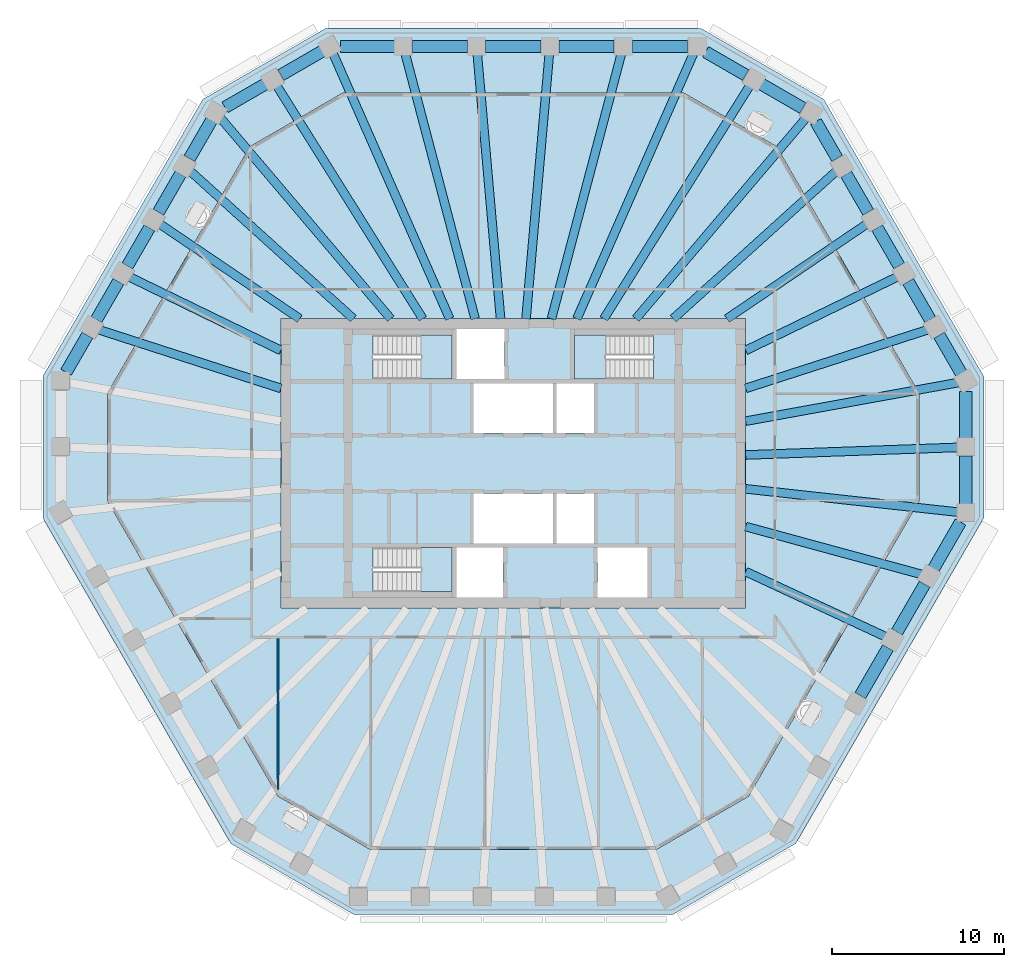
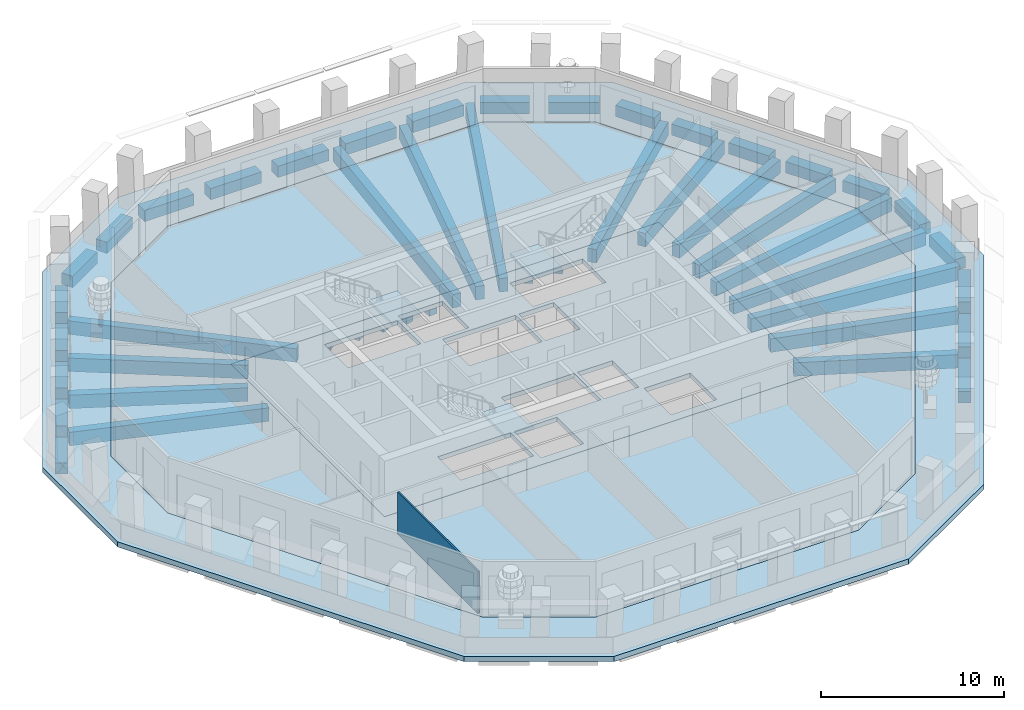
# One storey, part 2 of 12: 47 beams, 6 slabs, 1 wall, 3 elements without a shape of their own.
"""IFC4 building model written with IfcOpenShell, lengths in metres."""

from ifc_helpers import new_model, si_unit, direction, frame, frame_2d, origin, origin_2d, place, context, subcontext, project, spatial, polyline, rectangle, outline, extrude, material, layer, layer_set, material_profile, profile_set, type_object, element, aggregate, save


model = new_model("IFC4")

# Units and contexts
model_context = context("Model", 3, precision=1e-05, world=origin(), true_north=direction((0.0, 1.0)))
body_context = subcontext(model_context, "Body", "Model", "MODEL_VIEW")
ifc_project = project(units=[si_unit("LENGTHUNIT", "METRE"), si_unit("AREAUNIT", "SQUARE_METRE"), si_unit("VOLUMEUNIT", "CUBIC_METRE"), si_unit("PLANEANGLEUNIT", "RADIAN"), si_unit("MASSUNIT", "GRAM", prefix="KILO")], contexts=[model_context])

# Site, building, storey
site_placement = place(None, origin())
site = spatial("IfcSite", under=ifc_project, at=site_placement, CompositionType="ELEMENT")
building_placement = place(site_placement, origin())
building = spatial("IfcBuilding", under=site, at=building_placement, Name="Frailejon Research Tower", CompositionType="ELEMENT")
storey_placement = place(building_placement, frame((0.0, 0.0, 241.39990234375)))
storey = spatial("IfcBuildingStorey", under=building, at=storey_placement, Name="L52", CompositionType="ELEMENT", Elevation=241.39990234375)

# Beams
ifc_material_1 = material(Name="Concrete C60/75", Category="concrete")
ifc_material_profile_1 = material_profile(ifc_material_1, rectangle(XDim=0.5, YDim=0.89990234375, at=origin_2d()), Name="Girder 500x900")
ifc_profile_set_1 = profile_set([ifc_material_profile_1], Name="Concrete C60/75")
beam_type_1 = type_object("IfcBeamType", Name="Girder 500x900", PredefinedType="BEAM", material=ifc_profile_set_1)
beam_1_placement = place(storey_placement, frame((25.90283203125, -2.842529296875, -0.75), z_axis=(-0.994032436937, 0.109084895003, 0.0), x_axis=(-0.109084895003, -0.994032436937, 0.0)))
element("IfcBeam", 1, at=beam_1_placement, inside=storey, type_object=beam_type_1, Name="Girder 500x900", PredefinedType="BEAM", context=body_context, shape_type="SweptSolid", body=[
    extrude(rectangle(XDim=0.5, YDim=0.89990234375, at=origin_2d()), origin(), (0.0, 0.0, 1.0), 12.477294921875),
])
beam_2_placement = place(storey_placement, frame((25.903564453125, 0.92919921875, -0.75), z_axis=(-0.999357556164, -0.035839572234, 0.0), x_axis=(0.035839572234, -0.999357556164, 0.0)))
element("IfcBeam", 2, at=beam_2_placement, inside=storey, type_object=beam_type_1, Name="Girder 500x900", PredefinedType="BEAM", context=body_context, shape_type="SweptSolid", body=[
    extrude(rectangle(XDim=0.5, YDim=0.89990234375, at=origin_2d()), origin(), (0.0, 0.0, 1.0), 12.41162109375),
])
beam_3_placement = place(storey_placement, frame((25.877685546875, 4.69677734375, -0.75), z_axis=(-0.983924514799, -0.17858485148, 0.0), x_axis=(0.17858485148, -0.983924514799, 0.0)))
element("IfcBeam", 3, at=beam_3_placement, inside=storey, type_object=beam_type_1, Name="Girder 500x900", PredefinedType="BEAM", context=body_context, shape_type="SweptSolid", body=[
    extrude(rectangle(XDim=0.5, YDim=0.89990234375, at=origin_2d()), origin(), (0.0, 0.0, 1.0), 12.579833984375),
])
beam_4_placement = place(storey_placement, frame((24.108642578125, 7.771484375, -0.75), z_axis=(-0.951773213067, -0.306802462325, 0.0), x_axis=(0.306802462325, -0.951773213067, 0.0)))
element("IfcBeam", 4, at=beam_4_placement, inside=storey, type_object=beam_type_1, Name="Girder 500x900", PredefinedType="BEAM", context=body_context, shape_type="SweptSolid", body=[
    extrude(rectangle(XDim=0.5, YDim=0.89990234375, at=origin_2d()), origin(), (0.0, 0.0, 1.0), 11.146240234375),
])
beam_5_placement = place(storey_placement, frame((22.336669921875, 10.8466796875, -0.75), z_axis=(-0.899551408753, -0.436814907038, 0.0), x_axis=(0.436814907038, -0.899551408753, 0.0)))
element("IfcBeam", 5, at=beam_5_placement, inside=storey, type_object=beam_type_1, Name="Girder 500x900", PredefinedType="BEAM", context=body_context, shape_type="SweptSolid", body=[
    extrude(rectangle(XDim=0.5, YDim=0.89990234375, at=origin_2d()), origin(), (0.0, 0.0, 1.0), 9.823486328125),
])
beam_6_placement = place(storey_placement, frame((20.561767578125, 13.9208984375, -0.75), z_axis=(-0.828062372925, -0.560635983992, 0.0), x_axis=(0.560635983992, -0.828062372925, 0.0)))
element("IfcBeam", 6, at=beam_6_placement, inside=storey, type_object=beam_type_1, Name="Girder 500x900", PredefinedType="BEAM", context=body_context, shape_type="SweptSolid", body=[
    extrude(rectangle(XDim=0.5, YDim=0.89990234375, at=origin_2d()), origin(), (0.0, 0.0, 1.0), 9.84765625),
])
beam_7_placement = place(storey_placement, frame((18.78466796875, 16.992919921875, -0.75), z_axis=(-0.741587704794, -0.670855927974, 0.0), x_axis=(0.670855927974, -0.741587704794, 0.0)))
element("IfcBeam", 7, at=beam_7_placement, inside=storey, type_object=beam_type_1, Name="Girder 500x900", PredefinedType="BEAM", context=body_context, shape_type="SweptSolid", body=[
    extrude(rectangle(XDim=0.5, YDim=0.89990234375, at=origin_2d()), origin(), (0.0, 0.0, 1.0), 12.80908203125),
])
beam_8_placement = place(storey_placement, frame((17.02197265625, 20.080810546875, -0.75), z_axis=(-0.646608822543, -0.762821755464, 0.0), x_axis=(0.762821755464, -0.646608822543, 0.0)))
element("IfcBeam", 8, at=beam_8_placement, inside=storey, type_object=beam_type_1, Name="Girder 500x900", PredefinedType="BEAM", context=body_context, shape_type="SweptSolid", body=[
    extrude(rectangle(XDim=0.5, YDim=0.89990234375, at=origin_2d()), origin(), (0.0, 0.0, 1.0), 15.312744140625),
])
beam_9_placement = place(storey_placement, frame((13.756591796875, 21.968505859375, -0.75), z_axis=(-0.530726627088, -0.847543065159, 0.0), x_axis=(0.847543065159, -0.530726627088, 0.0)))
element("IfcBeam", 9, at=beam_9_placement, inside=storey, type_object=beam_type_1, Name="Girder 500x900", PredefinedType="BEAM", context=body_context, shape_type="SweptSolid", body=[
    extrude(rectangle(XDim=0.5, YDim=0.89990234375, at=origin_2d()), origin(), (0.0, 0.0, 1.0), 16.00927734375),
])
beam_10_placement = place(storey_placement, frame((10.47119140625, 23.812255859375, -0.75), z_axis=(-0.40253499417, -0.915404598234, 0.0), x_axis=(0.915404598234, -0.40253499417, 0.0)))
element("IfcBeam", 10, at=beam_10_placement, inside=storey, type_object=beam_type_1, Name="Girder 500x900", PredefinedType="BEAM", context=body_context, shape_type="SweptSolid", body=[
    extrude(rectangle(XDim=0.5, YDim=0.89990234375, at=origin_2d()), origin(), (0.0, 0.0, 1.0), 16.836669921875),
])
beam_11_placement = place(storey_placement, frame((6.284912109375, 23.820068359375, -0.75), z_axis=(-0.255118679831, -0.966909747185, 0.0), x_axis=(0.966909747185, -0.255118679831, 0.0)))
element("IfcBeam", 11, at=beam_11_placement, inside=storey, type_object=beam_type_1, Name="Girder 500x900", PredefinedType="BEAM", context=body_context, shape_type="SweptSolid", body=[
    extrude(rectangle(XDim=0.5, YDim=0.89990234375, at=origin_2d()), origin(), (0.0, 0.0, 1.0), 15.947998046875),
])
for number, where, z_axis, x_axis, name in (
    (12, (2.095458984375, 23.824462890625, -0.75), (-0.087618172411, -0.996154132584, 0.0), (0.996154132584, -0.087618172411, 0.0), "Girder 500x900"),
    (13, (-2.095458984375, 23.824462890625, -0.75), (0.087618172411, -0.996154132584, 0.0), (0.996154132584, 0.087618172411, 0.0), "Girder 500x900"),
):
    element("IfcBeam", number, at=place(storey_placement, frame(where, z_axis=z_axis, x_axis=x_axis)), inside=storey, type_object=beam_type_1, Name=name, PredefinedType="BEAM", context=body_context, shape_type="SweptSolid", body=[
        extrude(rectangle(XDim=0.5, YDim=0.89990234375, at=origin_2d()), origin(), (0.0, 0.0, 1.0), 15.484130859375),
    ])
beam_12_placement = place(storey_placement, frame((-6.284912109375, 23.820068359375, -0.75), z_axis=(0.255118679831, -0.966909747185, 0.0), x_axis=(0.966909747185, 0.255118679831, 0.0)))
element("IfcBeam", 14, at=beam_12_placement, inside=storey, type_object=beam_type_1, Name="Girder 500x900", PredefinedType="BEAM", context=body_context, shape_type="SweptSolid", body=[
    extrude(rectangle(XDim=0.5, YDim=0.89990234375, at=origin_2d()), origin(), (0.0, 0.0, 1.0), 15.947998046875),
])
beam_13_placement = place(storey_placement, frame((-10.489501953125, 23.853759765625, -0.75), z_axis=(0.402537964764, -0.915403291956, 0.0), x_axis=(0.915403291956, 0.402537964764, 0.0)))
element("IfcBeam", 15, at=beam_13_placement, inside=storey, type_object=beam_type_1, Name="Girder 500x900", PredefinedType="BEAM", context=body_context, shape_type="SweptSolid", body=[
    extrude(rectangle(XDim=0.5, YDim=0.89990234375, at=origin_2d()), origin(), (0.0, 0.0, 1.0), 16.882080078125),
])
beam_14_placement = place(storey_placement, frame((-13.756591796875, 21.968505859375, -0.75), z_axis=(0.530726627088, -0.847543065159, 0.0), x_axis=(0.847543065159, 0.530726627088, 0.0)))
element("IfcBeam", 16, at=beam_14_placement, inside=storey, type_object=beam_type_1, Name="Girder 500x900", PredefinedType="BEAM", context=body_context, shape_type="SweptSolid", body=[
    extrude(rectangle(XDim=0.5, YDim=0.89990234375, at=origin_2d()), origin(), (0.0, 0.0, 1.0), 16.00927734375),
])
beam_15_placement = place(storey_placement, frame((-17.00634765625, 20.062255859375, -0.75), z_axis=(0.646612741033, -0.762818433923, 0.0), x_axis=(0.762818433923, 0.646612741033, 0.0)))
element("IfcBeam", 17, at=beam_15_placement, inside=storey, type_object=beam_type_1, Name="Girder 500x900", PredefinedType="BEAM", context=body_context, shape_type="SweptSolid", body=[
    extrude(rectangle(XDim=0.5, YDim=0.89990234375, at=origin_2d()), origin(), (0.0, 0.0, 1.0), 15.28857421875),
])
beam_16_placement = place(storey_placement, frame((-18.78466796875, 16.992919921875, -0.75), z_axis=(0.741587704794, -0.670855927974, 0.0), x_axis=(0.670855927974, 0.741587704794, 0.0)))
element("IfcBeam", 18, at=beam_16_placement, inside=storey, type_object=beam_type_1, Name="Girder 500x900", PredefinedType="BEAM", context=body_context, shape_type="SweptSolid", body=[
    extrude(rectangle(XDim=0.5, YDim=0.89990234375, at=origin_2d()), origin(), (0.0, 0.0, 1.0), 12.80908203125),
])
beam_17_placement = place(storey_placement, frame((-20.561767578125, 13.9208984375, -0.75), z_axis=(0.828062372925, -0.560635983992, 0.0), x_axis=(0.560635983992, 0.828062372925, 0.0)))
element("IfcBeam", 19, at=beam_17_placement, inside=storey, type_object=beam_type_1, Name="Girder 500x900", PredefinedType="BEAM", context=body_context, shape_type="SweptSolid", body=[
    extrude(rectangle(XDim=0.5, YDim=0.89990234375, at=origin_2d()), origin(), (0.0, 0.0, 1.0), 9.84765625),
])
beam_18_placement = place(storey_placement, frame((-22.336669921875, 10.8466796875, -0.75), z_axis=(0.899551408753, -0.436814907038, 0.0), x_axis=(0.436814907038, 0.899551408753, 0.0)))
element("IfcBeam", 20, at=beam_18_placement, inside=storey, type_object=beam_type_1, Name="Girder 500x900", PredefinedType="BEAM", context=body_context, shape_type="SweptSolid", body=[
    extrude(rectangle(XDim=0.5, YDim=0.89990234375, at=origin_2d()), origin(), (0.0, 0.0, 1.0), 9.823486328125),
])
beam_19_placement = place(storey_placement, frame((-24.108642578125, 7.771484375, -0.75), z_axis=(0.951773213067, -0.306802462325, 0.0), x_axis=(0.306802462325, 0.951773213067, 0.0)))
element("IfcBeam", 21, at=beam_19_placement, inside=storey, type_object=beam_type_1, Name="Girder 500x900", PredefinedType="BEAM", context=body_context, shape_type="SweptSolid", body=[
    extrude(rectangle(XDim=0.5, YDim=0.89990234375, at=origin_2d()), origin(), (0.0, 0.0, 1.0), 11.146240234375),
])
beam_20_placement = place(storey_placement, frame((21.68017578125, -10.09765625, -0.75), z_axis=(-0.906495305559, 0.422215893827, 0.0), x_axis=(-0.422215893827, -0.906495305559, 0.0)))
element("IfcBeam", 22, at=beam_20_placement, inside=storey, type_object=beam_type_1, Name="Girder 500x900", PredefinedType="BEAM", context=body_context, shape_type="SweptSolid", body=[
    extrude(rectangle(XDim=0.5, YDim=0.89990234375, at=origin_2d()), origin(), (0.0, 0.0, 1.0), 9.02392578125),
])
beam_21_placement = place(storey_placement, frame((23.771240234375, -6.46728515625, -0.75), z_axis=(-0.964926127593, 0.262521557758, 0.0), x_axis=(-0.262521557758, -0.964926127593, 0.0)))
element("IfcBeam", 23, at=beam_21_placement, inside=storey, type_object=beam_type_1, Name="Girder 500x900", PredefinedType="BEAM", context=body_context, shape_type="SweptSolid", body=[
    extrude(rectangle(XDim=0.5, YDim=0.89990234375, at=origin_2d()), origin(), (0.0, 0.0, 1.0), 10.64453125),
])
ifc_material_2 = material(Name="Concrete C60/75", Category="concrete")
ifc_material_profile_2 = material_profile(ifc_material_2, rectangle(XDim=0.699951171875, YDim=0.75, at=origin_2d()), Name="Spandrel 700x750")
ifc_profile_set_2 = profile_set([ifc_material_profile_2], Name="Concrete C60/75")
beam_type_2 = type_object("IfcBeamType", Name="Spandrel 700x750", PredefinedType="BEAM", material=ifc_profile_set_2)
beam_22_placement = place(storey_placement, frame((26.27880859375, -2.35888671875, -0.724853515625), z_axis=(0.0, 1.0, 0.0), x_axis=(-1.0, 0.0, 0.0)))
element("IfcBeam", 24, at=beam_22_placement, inside=storey, type_object=beam_type_2, Name="Spandrel 700x750", PredefinedType="BEAM", context=body_context, shape_type="SweptSolid", body=[
    extrude(rectangle(XDim=0.699951171875, YDim=0.75, at=origin_2d()), origin(), (0.0, 0.0, 1.0), 2.776611328125),
])
beam_23_placement = place(storey_placement, frame((26.27880859375, 1.4677734375, -0.724853515625), z_axis=(0.0, 1.0, 0.0), x_axis=(-1.0, 0.0, 0.0)))
element("IfcBeam", 25, at=beam_23_placement, inside=storey, type_object=beam_type_2, Name="Spandrel 700x750", PredefinedType="BEAM", context=body_context, shape_type="SweptSolid", body=[
    extrude(rectangle(XDim=0.699951171875, YDim=0.75, at=origin_2d()), origin(), (0.0, 0.0, 1.0), 2.695556640625),
])
for number, where, z_axis, x_axis, name in (
    (26, (26.01611328125, 5.22412109375, -0.724853515625), (-0.499954196102, 0.866051847062, 0.0), (-0.866051847062, -0.499954196102, 0.0), "Spandrel 700x750"),
    (27, (24.21435546875, 8.344970703125, -0.724853515625), (-0.499954196102, 0.866051847062, 0.0), (-0.866051847062, -0.499954196102, 0.0), "Spandrel 700x750"),
):
    element("IfcBeam", number, at=place(storey_placement, frame(where, z_axis=z_axis, x_axis=x_axis)), inside=storey, type_object=beam_type_2, Name=name, PredefinedType="BEAM", context=body_context, shape_type="SweptSolid", body=[
        extrude(rectangle(XDim=0.699951171875, YDim=0.75, at=origin_2d()), origin(), (0.0, 0.0, 1.0), 2.553466796875),
    ])
beam_24_placement = place(storey_placement, frame((22.41259765625, 11.4658203125, -0.724853515625), z_axis=(-0.499995597562, 0.866027945518, 0.0), x_axis=(-0.866027945518, -0.499995597562, 0.0)))
element("IfcBeam", 28, at=beam_24_placement, inside=storey, type_object=beam_type_2, Name="Spandrel 700x750", PredefinedType="BEAM", context=body_context, shape_type="SweptSolid", body=[
    extrude(rectangle(XDim=0.699951171875, YDim=0.75, at=origin_2d()), origin(), (0.0, 0.0, 1.0), 2.55322265625),
])
beam_25_placement = place(storey_placement, frame((20.61083984375, 14.58642578125, -0.724853515625), z_axis=(-0.500025904202, 0.86601044747, 0.0), x_axis=(-0.86601044747, -0.500025904202, 0.0)))
element("IfcBeam", 29, at=beam_25_placement, inside=storey, type_object=beam_type_2, Name="Spandrel 700x750", PredefinedType="BEAM", context=body_context, shape_type="SweptSolid", body=[
    extrude(rectangle(XDim=0.699951171875, YDim=0.75, at=origin_2d()), origin(), (0.0, 0.0, 1.0), 2.553466796875),
])
beam_26_placement = place(storey_placement, frame((18.80908203125, 17.707275390625, -0.724853515625), z_axis=(-0.499973199341, 0.866040876599, 0.0), x_axis=(-0.866040876599, -0.499973199341, 0.0)))
element("IfcBeam", 30, at=beam_26_placement, inside=storey, type_object=beam_type_2, Name="Spandrel 700x750", PredefinedType="BEAM", context=body_context, shape_type="SweptSolid", body=[
    extrude(rectangle(XDim=0.699951171875, YDim=0.75, at=origin_2d()), origin(), (0.0, 0.0, 1.0), 2.472412109375),
])
beam_27_placement = place(storey_placement, frame((16.815185546875, 20.6357421875, -0.724853515625), z_axis=(-0.866021602438, 0.500006584067, 0.0), x_axis=(-0.500006584067, -0.866021602438, 0.0)))
element("IfcBeam", 31, at=beam_27_placement, inside=storey, type_object=beam_type_2, Name="Spandrel 700x750", PredefinedType="BEAM", context=body_context, shape_type="SweptSolid", body=[
    extrude(rectangle(XDim=0.699951171875, YDim=0.75, at=origin_2d()), origin(), (0.0, 0.0, 1.0), 2.77685546875),
])
beam_28_placement = place(storey_placement, frame((13.501220703125, 22.549072265625, -0.724853515625), z_axis=(-0.866010629317, 0.500025589255, 0.0), x_axis=(-0.500025589255, -0.866010629317, 0.0)))
element("IfcBeam", 32, at=beam_28_placement, inside=storey, type_object=beam_type_2, Name="Spandrel 700x750", PredefinedType="BEAM", context=body_context, shape_type="SweptSolid", body=[
    extrude(rectangle(XDim=0.699951171875, YDim=0.75, at=origin_2d()), origin(), (0.0, 0.0, 1.0), 2.695556640625),
])
beam_29_placement = place(storey_placement, frame((10.11669921875, 24.199951171875, -0.724853515625), z_axis=(-1.0, 0.0, 0.0), x_axis=(0.0, -1.0, 0.0)))
element("IfcBeam", 33, at=beam_29_placement, inside=storey, type_object=beam_type_2, Name="Spandrel 700x750", PredefinedType="BEAM", context=body_context, shape_type="SweptSolid", body=[
    extrude(rectangle(XDim=0.699951171875, YDim=0.75, at=origin_2d()), origin(), (0.0, 0.0, 1.0), 3.20654296875),
])
beam_30_placement = place(storey_placement, frame((5.860107421875, 24.199951171875, -0.724853515625), z_axis=(-1.0, 0.0, 0.0), x_axis=(0.0, -1.0, 0.0)))
element("IfcBeam", 34, at=beam_30_placement, inside=storey, type_object=beam_type_2, Name="Spandrel 700x750", PredefinedType="BEAM", context=body_context, shape_type="SweptSolid", body=[
    extrude(rectangle(XDim=0.699951171875, YDim=0.75, at=origin_2d()), origin(), (0.0, 0.0, 1.0), 3.206787109375),
])
beam_31_placement = place(storey_placement, frame((1.603515625, 24.199951171875, -0.724853515625), z_axis=(-1.0, 0.0, 0.0), x_axis=(0.0, -1.0, 0.0)))
element("IfcBeam", 35, at=beam_31_placement, inside=storey, type_object=beam_type_2, Name="Spandrel 700x750", PredefinedType="BEAM", context=body_context, shape_type="SweptSolid", body=[
    extrude(rectangle(XDim=0.699951171875, YDim=0.75, at=origin_2d()), origin(), (0.0, 0.0, 1.0), 3.20703125),
])
beam_32_placement = place(storey_placement, frame((-2.6533203125, 24.199951171875, -0.724853515625), z_axis=(-1.0, 0.0, 0.0), x_axis=(0.0, -1.0, 0.0)))
element("IfcBeam", 36, at=beam_32_placement, inside=storey, type_object=beam_type_2, Name="Spandrel 700x750", PredefinedType="BEAM", context=body_context, shape_type="SweptSolid", body=[
    extrude(rectangle(XDim=0.699951171875, YDim=0.75, at=origin_2d()), origin(), (0.0, 0.0, 1.0), 3.206787109375),
])
beam_33_placement = place(storey_placement, frame((-6.91015625, 24.199951171875, -0.724853515625), z_axis=(-1.0, 0.0, 0.0), x_axis=(0.0, -1.0, 0.0)))
element("IfcBeam", 37, at=beam_33_placement, inside=storey, type_object=beam_type_2, Name="Spandrel 700x750", PredefinedType="BEAM", context=body_context, shape_type="SweptSolid", body=[
    extrude(rectangle(XDim=0.699951171875, YDim=0.75, at=origin_2d()), origin(), (0.0, 0.0, 1.0), 3.12548828125),
])
beam_34_placement = place(storey_placement, frame((-11.096435546875, 23.9375, -0.724853515625), z_axis=(-0.866021602438, -0.500006584067, 0.0), x_axis=(0.500006584067, -0.866021602438, 0.0)))
element("IfcBeam", 38, at=beam_34_placement, inside=storey, type_object=beam_type_2, Name="Spandrel 700x750", PredefinedType="BEAM", context=body_context, shape_type="SweptSolid", body=[
    extrude(rectangle(XDim=0.699951171875, YDim=0.75, at=origin_2d()), origin(), (0.0, 0.0, 1.0), 2.77685546875),
])
beam_35_placement = place(storey_placement, frame((-14.410400390625, 22.024169921875, -0.724853515625), z_axis=(-0.866049846835, -0.499957661005, 0.0), x_axis=(0.499957661005, -0.866049846835, 0.0)))
element("IfcBeam", 39, at=beam_35_placement, inside=storey, type_object=beam_type_2, Name="Spandrel 700x750", PredefinedType="BEAM", context=body_context, shape_type="SweptSolid", body=[
    extrude(rectangle(XDim=0.699951171875, YDim=0.75, at=origin_2d()), origin(), (0.0, 0.0, 1.0), 2.695556640625),
])
for number, where, z_axis, x_axis, name in (
    (40, (-17.532470703125, 19.918701171875, -0.724853515625), (-0.499954196102, -0.866051847062, 0.0), (0.866051847062, -0.499954196102, 0.0), "Spandrel 700x750"),
    (41, (-19.333984375, 16.7978515625, -0.724853515625), (-0.500025904202, -0.86601044747, 0.0), (0.86601044747, -0.500025904202, 0.0), "Spandrel 700x750"),
):
    element("IfcBeam", number, at=place(storey_placement, frame(where, z_axis=z_axis, x_axis=x_axis)), inside=storey, type_object=beam_type_2, Name=name, PredefinedType="BEAM", context=body_context, shape_type="SweptSolid", body=[
        extrude(rectangle(XDim=0.699951171875, YDim=0.75, at=origin_2d()), origin(), (0.0, 0.0, 1.0), 2.553466796875),
    ])
beam_36_placement = place(storey_placement, frame((-21.135986328125, 13.677001953125, -0.724853515625), z_axis=(-0.499995597562, -0.866027945518, 0.0), x_axis=(0.866027945518, -0.499995597562, 0.0)))
element("IfcBeam", 42, at=beam_36_placement, inside=storey, type_object=beam_type_2, Name="Spandrel 700x750", PredefinedType="BEAM", context=body_context, shape_type="SweptSolid", body=[
    extrude(rectangle(XDim=0.699951171875, YDim=0.75, at=origin_2d()), origin(), (0.0, 0.0, 1.0), 2.55322265625),
])
beam_37_placement = place(storey_placement, frame((-22.937744140625, 10.556396484375, -0.724853515625), z_axis=(-0.499954196102, -0.866051847062, 0.0), x_axis=(0.866051847062, -0.499954196102, 0.0)))
element("IfcBeam", 43, at=beam_37_placement, inside=storey, type_object=beam_type_2, Name="Spandrel 700x750", PredefinedType="BEAM", context=body_context, shape_type="SweptSolid", body=[
    extrude(rectangle(XDim=0.699951171875, YDim=0.75, at=origin_2d()), origin(), (0.0, 0.0, 1.0), 2.553466796875),
])
beam_38_placement = place(storey_placement, frame((-24.739501953125, 7.435546875, -0.724853515625), z_axis=(-0.499973199341, -0.866040876599, 0.0), x_axis=(0.866040876599, -0.499973199341, 0.0)))
element("IfcBeam", 44, at=beam_38_placement, inside=storey, type_object=beam_type_2, Name="Spandrel 700x750", PredefinedType="BEAM", context=body_context, shape_type="SweptSolid", body=[
    extrude(rectangle(XDim=0.699951171875, YDim=0.75, at=origin_2d()), origin(), (0.0, 0.0, 1.0), 2.472412109375),
])
beam_39_placement = place(storey_placement, frame((20.156005859375, -13.488525390625, -0.724853515625), z_axis=(0.500036582314, 0.866004281946, 0.0), x_axis=(-0.866004281946, 0.500036582314, 0.0)))
element("IfcBeam", 45, at=beam_39_placement, inside=storey, type_object=beam_type_2, Name="Spandrel 700x750", PredefinedType="BEAM", context=body_context, shape_type="SweptSolid", body=[
    extrude(rectangle(XDim=0.699951171875, YDim=0.75, at=origin_2d()), origin(), (0.0, 0.0, 1.0), 3.206787109375),
])
beam_40_placement = place(storey_placement, frame((22.284423828125, -9.802001953125, -0.724853515625), z_axis=(0.500069551962, 0.865985244216, 0.0), x_axis=(-0.865985244216, 0.500069551962, 0.0)))
element("IfcBeam", 46, at=beam_40_placement, inside=storey, type_object=beam_type_2, Name="Spandrel 700x750", PredefinedType="BEAM", context=body_context, shape_type="SweptSolid", body=[
    extrude(rectangle(XDim=0.699951171875, YDim=0.75, at=origin_2d()), origin(), (0.0, 0.0, 1.0), 3.20654296875),
])
beam_41_placement = place(storey_placement, frame((24.412841796875, -6.11572265625, -0.724853515625), z_axis=(0.499995170647, 0.866028191995, 0.0), x_axis=(-0.866028191995, 0.499995170647, 0.0)))
element("IfcBeam", 47, at=beam_41_placement, inside=storey, type_object=beam_type_2, Name="Spandrel 700x750", PredefinedType="BEAM", context=body_context, shape_type="SweptSolid", body=[
    extrude(rectangle(XDim=0.699951171875, YDim=0.75, at=origin_2d()), origin(), (0.0, 0.0, 1.0), 3.12548828125),
])

# Slabs
ifc_material_3 = material(Name="Concrete C60/75", Category="concrete")
ifc_layer_1 = layer(ifc_material_3, 0.300048828125)
ifc_layer_set_1 = layer_set([ifc_layer_1], Name="Core floor slab 300 C60/75")
slab_type_1 = type_object("IfcSlabType", Name="Core floor slab 300 C60/75", PredefinedType="FLOOR", material=ifc_layer_set_1)
slab_1_placement = place(storey_placement, frame((0.0, 0.0, -0.2998046875)))
element("IfcSlab", 48, at=slab_1_placement, inside=storey, type_object=slab_type_1, Name="Core floor slab", PredefinedType="FLOOR", context=body_context, shape_type="SweptSolid", body=[
    extrude(outline(polyline([(13.5, -8.39990234375), (13.5, 8.39990234375), (-13.5, 8.39990234375), (-13.5, -8.39990234375), (13.5, -8.39990234375)]), holes=[polyline([(2.300048828125, 1.75), (2.300048828125, 4.64990234375), (-2.300048828125, 4.64990234375), (-2.300048828125, 1.75), (2.300048828125, 1.75)]), polyline([(4.699951171875, 1.75), (4.699951171875, 4.64990234375), (2.5, 4.64990234375), (2.5, 1.75), (4.699951171875, 1.75)]), polyline([(2.300048828125, -4.64990234375), (2.300048828125, -1.75), (-2.300048828125, -1.75), (-2.300048828125, -4.64990234375), (2.300048828125, -4.64990234375)]), polyline([(4.699951171875, -4.64990234375), (4.699951171875, -1.75), (2.5, -1.75), (2.5, -4.64990234375), (4.699951171875, -4.64990234375)]), polyline([(-8.14697265625, 4.89990234375), (-3.550048828125, 4.89990234375), (-3.550048828125, 7.449951171875), (-8.14697265625, 7.449951171875), (-8.14697265625, 4.89990234375)]), polyline([(-8.14697265625, -7.449951171875), (-3.550048828125, -7.449951171875), (-3.550048828125, -4.89990234375), (-8.14697265625, -4.89990234375), (-8.14697265625, -7.449951171875)]), polyline([(8.14697265625, 7.449951171875), (3.550048828125, 7.449951171875), (3.550048828125, 4.89990234375), (8.14697265625, 4.89990234375), (8.14697265625, 7.449951171875)]), polyline([(-0.60009765625, -7.800048828125), (-0.60009765625, -4.89990234375), (-3.300048828125, -4.89990234375), (-3.300048828125, -7.800048828125), (-0.60009765625, -7.800048828125)]), polyline([(7.800048828125, -7.800048828125), (7.800048828125, -4.89990234375), (4.89990234375, -4.89990234375), (4.89990234375, -7.800048828125), (7.800048828125, -7.800048828125)]), polyline([(-0.5, 4.89990234375), (-0.5, 7.800048828125), (-3.300048828125, 7.800048828125), (-3.300048828125, 4.89990234375), (-0.5, 4.89990234375)])]), origin(), (0.0, 0.0, 1.0), 0.2998046875),
])
ifc_material_4 = material(Name="Concrete C40/50", Category="concrete")
ifc_layer_2 = layer(ifc_material_4, 0.35009765625)
ifc_layer_set_2 = layer_set([ifc_layer_2], Name="Loggia slab 350")
slab_type_2 = type_object("IfcSlabType", Name="Loggia slab 350", PredefinedType="USERDEFINED", material=ifc_layer_set_2)
slab_2_placement = place(storey_placement, frame((0.0, 0.0, -0.349853515625)))
element("IfcSlab", 49, at=slab_2_placement, inside=storey, type_object=slab_type_2, Name="Loggia slab L52", ObjectType="LOGGIA", PredefinedType="USERDEFINED", context=body_context, shape_type="SweptSolid", body=[
    extrude(outline(polyline([(16.405517578125, -22.084716796875), (9.290283203125, -26.19287109375), (-9.290283203125, -26.19287109375), (-16.405517578125, -22.084716796875), (-27.32861328125, -3.165283203125), (-27.32861328125, 5.05078125), (-18.03857421875, 21.141845703125), (-10.923095703125, 25.25), (10.923095703125, 25.25), (18.03857421875, 21.141845703125), (27.32861328125, 5.05078125), (27.32861328125, -3.165283203125), (16.405517578125, -22.084716796875)]), holes=[polyline([(23.57861328125, 4.0458984375), (15.293212890625, 18.396728515625), (9.918212890625, 21.5), (-9.918212890625, 21.5), (-15.293212890625, 18.396728515625), (-23.57861328125, 4.0458984375), (-23.57861328125, -2.160400390625), (-13.660400390625, -19.339599609375), (-8.285400390625, -22.44287109375), (8.285400390625, -22.44287109375), (13.660400390625, -19.339599609375), (23.57861328125, -2.160400390625), (23.57861328125, 4.0458984375)])]), origin(), (0.0, 0.0, 1.0), 0.349853515625),
])
ifc_material_5 = material(Name="Concrete C40/50", Category="concrete")
ifc_layer_3 = layer(ifc_material_5, 0.300048828125)
ifc_layer_set_3 = layer_set([ifc_layer_3], Name="Slab typical 300")
slab_type_3 = type_object("IfcSlabType", Name="Slab typical 300", PredefinedType="FLOOR", material=ifc_layer_set_3)
slab_3_placement = place(storey_placement, frame((0.0, 0.0, -0.2998046875)))
element("IfcSlab", 50, at=slab_3_placement, inside=storey, type_object=slab_type_3, Name="Floor slab L52", PredefinedType="FLOOR", context=body_context, shape_type="SweptSolid", body=[
    extrude(outline(polyline([(23.57861328125, -2.160400390625), (23.57861328125, 4.0458984375), (15.293212890625, 18.396728515625), (9.918212890625, 21.5), (-9.918212890625, 21.5), (-15.293212890625, 18.396728515625), (-23.57861328125, 4.0458984375), (-23.57861328125, -2.160400390625), (-13.660400390625, -19.339599609375), (-8.285400390625, -22.44287109375), (8.285400390625, -22.44287109375), (13.660400390625, -19.339599609375), (23.57861328125, -2.160400390625)]), holes=[polyline([(13.5, -8.39990234375), (-13.5, -8.39990234375), (-13.5, 8.39990234375), (13.5, 8.39990234375), (13.5, -8.39990234375)])]), origin(), (0.0, 0.0, 1.0), 0.2998046875),
])

# Stair, slab
ifc_material_6 = material(Name="Concrete C50/60", Category="concrete")
stair_type = type_object("IfcStairType", Name="Exit stair 22 risers", PredefinedType="HALF_TURN_STAIR", material=ifc_material_6)
stair_1_placement = place(storey_placement, origin())
stair_1 = element("IfcStair", 51, at=stair_1_placement, inside=storey, type_object=stair_type, Name="L52 Exit stair ST1", PredefinedType="HALF_TURN_STAIR")
ifc_material_7 = material(Name="Concrete C50/60", Category="concrete")
ifc_layer_4 = layer(ifc_material_7, 0.199951171875)
ifc_layer_set_4 = layer_set([ifc_layer_4], Name="Stair landing slab 200")
slab_type_4 = type_object("IfcSlabType", Name="Stair landing slab 200", PredefinedType="LANDING", material=ifc_layer_set_4)
slab_4_placement = place(storey_placement, frame((0.0, 0.0, 1.800048828125)))
slab_4 = element("IfcSlab", 52, at=slab_4_placement, type_object=slab_type_4, Name="ST1 landing 1", PredefinedType="LANDING", context=body_context, shape_type="SweptSolid", body=[
    extrude(outline(polyline([(-5.35009765625, 4.89990234375), (-3.550048828125, 4.89990234375), (-3.550048828125, 7.449951171875), (-5.35009765625, 7.449951171875), (-5.35009765625, 4.89990234375)])), origin(), (0.0, 0.0, 1.0), 0.199951171875),
])
aggregate(stair_1, [slab_4])

stair_2_placement = place(storey_placement, origin())
stair_2 = element("IfcStair", 53, at=stair_2_placement, inside=storey, type_object=stair_type, Name="L52 Exit stair ST2", PredefinedType="HALF_TURN_STAIR")
slab_5_placement = place(storey_placement, frame((0.0, 0.0, 1.800048828125)))
slab_5 = element("IfcSlab", 54, at=slab_5_placement, type_object=slab_type_4, Name="ST2 landing 1", PredefinedType="LANDING", context=body_context, shape_type="SweptSolid", body=[
    extrude(outline(polyline([(-5.35009765625, -7.449951171875), (-3.550048828125, -7.449951171875), (-3.550048828125, -4.89990234375), (-5.35009765625, -4.89990234375), (-5.35009765625, -7.449951171875)])), origin(), (0.0, 0.0, 1.0), 0.199951171875),
])
aggregate(stair_2, [slab_5])

stair_3_placement = place(storey_placement, origin())
stair_3 = element("IfcStair", 55, at=stair_3_placement, inside=storey, type_object=stair_type, Name="L52 Exit stair ST3", PredefinedType="HALF_TURN_STAIR")
slab_6_placement = place(storey_placement, frame((0.0, 0.0, 1.800048828125)))
slab_6 = element("IfcSlab", 56, at=slab_6_placement, type_object=slab_type_4, Name="ST3 landing 1", PredefinedType="LANDING", context=body_context, shape_type="SweptSolid", body=[
    extrude(outline(polyline([(5.35009765625, 7.449951171875), (3.550048828125, 7.449951171875), (3.550048828125, 4.89990234375), (5.35009765625, 4.89990234375), (5.35009765625, 7.449951171875)])), origin(), (0.0, 0.0, 1.0), 0.199951171875),
])
aggregate(stair_3, [slab_6])

# Wall
ifc_material_8 = material(Name="Gypsum board and masonry partition", Category="masonry")
ifc_layer_5 = layer(ifc_material_8, 0.10009765625)
ifc_layer_set_5 = layer_set([ifc_layer_5], Name="Partition, gypsum on steel studs 100")
wall_type = type_object("IfcWallType", Name="Partition, gypsum on steel studs 100", PredefinedType="PARTITIONING", material=ifc_layer_set_5)
wall_placement = place(storey_placement, frame((-13.660400390625, -18.939453125, 0.0), z_axis=(0.0, 0.0, 1.0), x_axis=(0.0, 1.0, 0.0)))
element("IfcWall", 57, at=wall_placement, inside=storey, type_object=wall_type, Name="T:IW:L52:021", PredefinedType="PARTITIONING", context=body_context, shape_type="SweptSolid", body=[
    extrude(rectangle(XDim=8.764404296875, YDim=0.10009765625, at=frame_2d((4.38232421875, 0.0))), origin(), (0.0, 0.0, 1.0), 2.800048828125),
])

save(model, "model.ifc")
